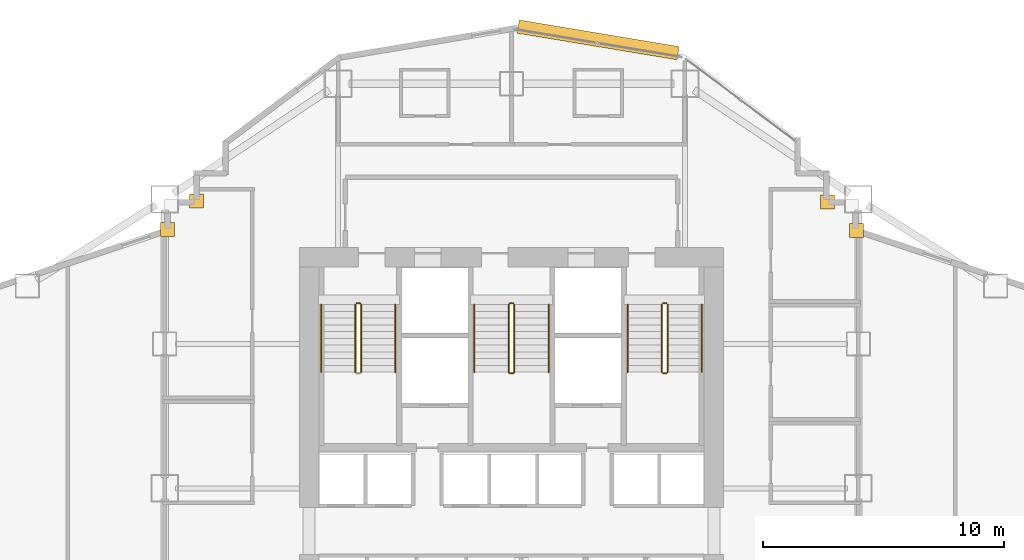
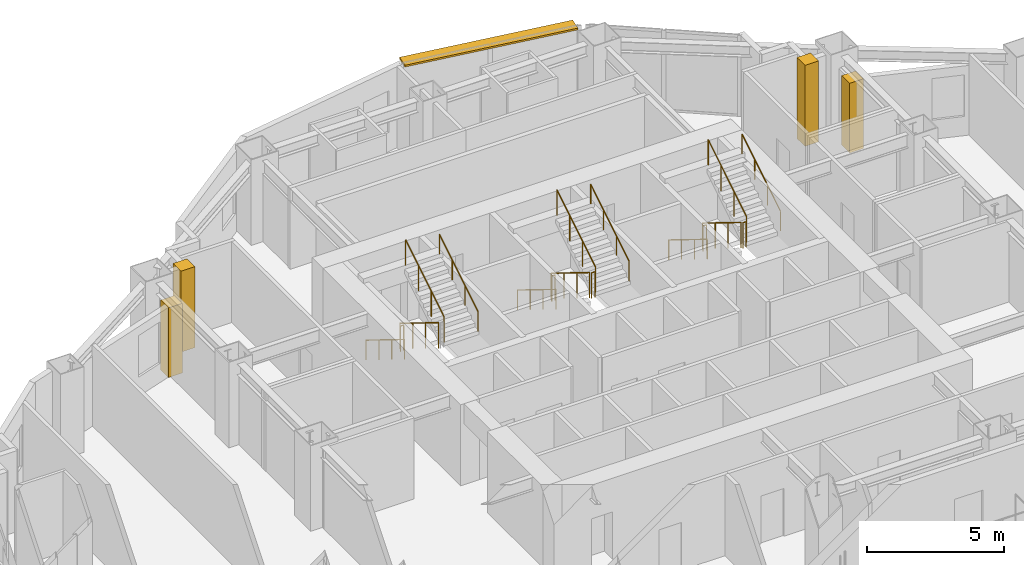
# One storey, part 17 of 18: 17 railings, 4 coverings, 1 shading device.
"""IFC4 building model written with IfcOpenShell, lengths in metres."""

from ifc_helpers import new_model, si_unit, direction, frame, origin, origin_2d, place, context, subcontext, project, spatial, rectangle, circle, extrude, material, layer, layer_set, type_object, element, save


model = new_model("IFC4")

# Units and contexts
model_context = context("Model", 3, precision=1e-05, world=origin(), true_north=direction((0.0, 1.0)))
body_context = subcontext(model_context, "Body", "Model", "MODEL_VIEW")
ifc_project = project(units=[si_unit("LENGTHUNIT", "METRE"), si_unit("AREAUNIT", "SQUARE_METRE"), si_unit("VOLUMEUNIT", "CUBIC_METRE"), si_unit("PLANEANGLEUNIT", "RADIAN"), si_unit("MASSUNIT", "GRAM", prefix="KILO")], contexts=[model_context])

# Site, building, storey
site_placement = place(None, origin())
site = spatial("IfcSite", under=ifc_project, at=site_placement, CompositionType="ELEMENT")
building_placement = place(site_placement, origin())
building = spatial("IfcBuilding", under=site, at=building_placement, Name="Haolan Belvedere Tower", CompositionType="ELEMENT")
storey_placement = place(building_placement, frame((0.0, 0.0, 51.39990234375)))
storey = spatial("IfcBuildingStorey", under=building, at=storey_placement, Name="L12", CompositionType="ELEMENT", Elevation=51.39990234375)

# Coverings
ifc_material_1 = material(Name="Pale champagne-silver anodised aluminium rainscreen cladding", Category="aluminium")
ifc_layer_1 = layer(ifc_material_1, 0.034912109375, Name="Pale champagne-silver anodised aluminium rainscreen cladding")
ifc_layer_set_1 = layer_set([ifc_layer_1], Name="Pale champagne-silver anodised aluminium rainscreen cladding")
covering_type = type_object("IfcCoveringType", Name="COV-CLAD-35", PredefinedType="CLADDING", material=ifc_layer_set_1)
covering_1_placement = place(storey_placement, frame((52.72021484375, 44.300048828125, 0.0), z_axis=(0.0, 0.0, 1.0), x_axis=(1.0, 0.0, 0.0)))
element("IfcCovering", 1, at=covering_1_placement, inside=storey, type_object=covering_type, Name="L12 pale-metal serrated corner cladding trim 8", PredefinedType="CLADDING", context=body_context, shape_type="SweptSolid", body=[
    extrude(rectangle(XDim=0.580078125, YDim=0.580078125, at=origin_2d()), origin(), (0.0, 0.0, 1.0), 3.096923828125),
])
for number, where, z_axis, x_axis, name in (
    (2, (51.5224609375, 45.47998046875, 0.0), (0.0, 0.0, 1.0), (1.0, 0.0, 0.0), "L12 pale-metal serrated corner cladding trim 9"),
    (3, (25.320068359375, 45.5224609375, 0.0), (0.0, 0.0, 1.0), (1.0, 0.0, 0.0), "L12 pale-metal serrated corner cladding trim 10"),
):
    element("IfcCovering", number, at=place(storey_placement, frame(where, z_axis=z_axis, x_axis=x_axis)), inside=storey, type_object=covering_type, Name=name, PredefinedType="CLADDING", context=body_context, shape_type="SweptSolid", body=[
        extrude(rectangle(XDim=0.580078125, YDim=0.580078125, at=origin_2d()), origin(), (0.0, 0.0, 1.0), 3.60009765625),
    ])
covering_2_placement = place(storey_placement, frame((24.1201171875, 44.35595703125, 0.0), z_axis=(0.0, 0.0, 1.0), x_axis=(1.0, 0.0, 0.0)))
element("IfcCovering", 4, at=covering_2_placement, inside=storey, type_object=covering_type, Name="L12 pale-metal serrated corner cladding trim 11", PredefinedType="CLADDING", context=body_context, shape_type="SweptSolid", body=[
    extrude(rectangle(XDim=0.580078125, YDim=0.580078125, at=origin_2d()), origin(), (0.0, 0.0, 1.0), 3.096923828125),
])

# Railings
ifc_material_2 = material(Name="Brushed stainless steel 304", Category="steel")
railing_type_1 = type_object("IfcRailingType", Name="RL-STAIR-GRD-1150", PredefinedType="GUARDRAIL", material=ifc_material_2)
railing_1_placement = place(storey_placement, frame((31.919921875, 41.22998046875, 0.1728515625)))
element("IfcRailing", 5, at=railing_1_placement, inside=storey, type_object=railing_type_1, Name="L12 ST1 stair guard 1", PredefinedType="GUARDRAIL", context=body_context, shape_type="SweptSolid", body=[
    extrude(circle(Radius=0.02392578125, at=origin_2d()), frame((0.0, 0.0, 1.1259765625), z_axis=(0.0, -0.851089632645, 0.525020415988), x_axis=(1.0, 0.0, 0.0)), (0.0, 0.0, 1.0), 3.2900390625),
    extrude(circle(Radius=0.02099609375, at=origin_2d()), origin(), (0.0, 0.0, 1.0), 1.101806640625),
    extrude(circle(Radius=0.02099609375, at=origin_2d()), frame((0.0, -0.933349609375, 0.57568359375)), (0.0, 0.0, 1.0), 1.101806640625),
    extrude(circle(Radius=0.02099609375, at=origin_2d()), frame((0.0, -1.86669921875, 1.151611328125)), (0.0, 0.0, 1.0), 1.101806640625),
    extrude(circle(Radius=0.02099609375, at=origin_2d()), frame((0.0, -2.800048828125, 1.727294921875)), (0.0, 0.0, 1.0), 1.101806640625),
])
railing_2_placement = place(storey_placement, frame((32.159912109375, 38.429931640625, 2.07275390625)))
element("IfcRailing", 6, at=railing_2_placement, inside=storey, type_object=railing_type_1, Name="L12 ST1 stair guard 3", PredefinedType="GUARDRAIL", context=body_context, shape_type="SweptSolid", body=[
    extrude(circle(Radius=0.02392578125, at=origin_2d()), frame((0.0, 0.0, 1.1259765625), z_axis=(0.0, 0.851089632645, 0.525020415988), x_axis=(-1.0, 0.0, 0.0)), (0.0, 0.0, 1.0), 3.2900390625),
    extrude(circle(Radius=0.02099609375, at=origin_2d()), origin(), (0.0, 0.0, 1.0), 1.101806640625),
    extrude(circle(Radius=0.02099609375, at=origin_2d()), frame((0.0, 0.933349609375, 0.57568359375)), (0.0, 0.0, 1.0), 1.101806640625),
    extrude(circle(Radius=0.02099609375, at=origin_2d()), frame((0.0, 1.86669921875, 1.151611328125)), (0.0, 0.0, 1.0), 1.101806640625),
    extrude(circle(Radius=0.02099609375, at=origin_2d()), frame((0.0, 2.800048828125, 1.727294921875)), (0.0, 0.0, 1.0), 1.101806640625),
])
railing_3_placement = place(storey_placement, frame((31.969970703125, 41.280029296875, 0.0)))
element("IfcRailing", 7, at=railing_3_placement, inside=storey, type_object=railing_type_1, Name="L12 ST1 stair guard 4", PredefinedType="GUARDRAIL", context=body_context, shape_type="SweptSolid", body=[
    extrude(circle(Radius=0.02392578125, at=origin_2d()), frame((0.0, 0.0, 1.1259765625), z_axis=(1.0, 0.0, 0.0), x_axis=(0.0, 1.0, 0.0)), (0.0, 0.0, 1.0), 0.14013671875),
    extrude(circle(Radius=0.02099609375, at=origin_2d()), origin(), (0.0, 0.0, 1.0), 1.101806640625),
    extrude(circle(Radius=0.02099609375, at=origin_2d()), frame((0.14013671875, 0.0, 0.0)), (0.0, 0.0, 1.0), 1.101806640625),
])
railing_4_placement = place(storey_placement, frame((38.280029296875, 41.22998046875, 0.1728515625)))
element("IfcRailing", 8, at=railing_4_placement, inside=storey, type_object=railing_type_1, Name="L12 ST3 stair guard 1", PredefinedType="GUARDRAIL", context=body_context, shape_type="SweptSolid", body=[
    extrude(circle(Radius=0.02392578125, at=origin_2d()), frame((0.0, 0.0, 1.1259765625), z_axis=(0.0, -0.851089632645, 0.525020415988), x_axis=(1.0, 0.0, 0.0)), (0.0, 0.0, 1.0), 3.2900390625),
    extrude(circle(Radius=0.02099609375, at=origin_2d()), origin(), (0.0, 0.0, 1.0), 1.101806640625),
    extrude(circle(Radius=0.02099609375, at=origin_2d()), frame((0.0, -0.933349609375, 0.57568359375)), (0.0, 0.0, 1.0), 1.101806640625),
    extrude(circle(Radius=0.02099609375, at=origin_2d()), frame((0.0, -1.86669921875, 1.151611328125)), (0.0, 0.0, 1.0), 1.101806640625),
    extrude(circle(Radius=0.02099609375, at=origin_2d()), frame((0.0, -2.800048828125, 1.727294921875)), (0.0, 0.0, 1.0), 1.101806640625),
])
railing_5_placement = place(storey_placement, frame((38.330078125, 38.3798828125, 1.900146484375)))
element("IfcRailing", 9, at=railing_5_placement, inside=storey, type_object=railing_type_1, Name="L12 ST3 stair guard 2", PredefinedType="GUARDRAIL", context=body_context, shape_type="SweptSolid", body=[
    extrude(circle(Radius=0.02392578125, at=origin_2d()), frame((0.0, 0.0, 1.1259765625), z_axis=(1.0, 0.0, 0.0), x_axis=(0.0, 1.0, 0.0)), (0.0, 0.0, 1.0), 0.139892578125),
    extrude(circle(Radius=0.02099609375, at=origin_2d()), origin(), (0.0, 0.0, 1.0), 1.101806640625),
    extrude(circle(Radius=0.02099609375, at=origin_2d()), frame((0.139892578125, 0.0, 0.0)), (0.0, 0.0, 1.0), 1.101806640625),
])
railing_6_placement = place(storey_placement, frame((38.52001953125, 38.429931640625, 2.07275390625)))
element("IfcRailing", 10, at=railing_6_placement, inside=storey, type_object=railing_type_1, Name="L12 ST3 stair guard 3", PredefinedType="GUARDRAIL", context=body_context, shape_type="SweptSolid", body=[
    extrude(circle(Radius=0.02392578125, at=origin_2d()), frame((0.0, 0.0, 1.1259765625), z_axis=(0.0, 0.851089632645, 0.525020415988), x_axis=(-1.0, 0.0, 0.0)), (0.0, 0.0, 1.0), 3.2900390625),
    extrude(circle(Radius=0.02099609375, at=origin_2d()), origin(), (0.0, 0.0, 1.0), 1.101806640625),
    extrude(circle(Radius=0.02099609375, at=origin_2d()), frame((0.0, 0.933349609375, 0.57568359375)), (0.0, 0.0, 1.0), 1.101806640625),
    extrude(circle(Radius=0.02099609375, at=origin_2d()), frame((0.0, 1.86669921875, 1.151611328125)), (0.0, 0.0, 1.0), 1.101806640625),
    extrude(circle(Radius=0.02099609375, at=origin_2d()), frame((0.0, 2.800048828125, 1.727294921875)), (0.0, 0.0, 1.0), 1.101806640625),
])
railing_7_placement = place(storey_placement, frame((38.330078125, 41.280029296875, 0.0)))
element("IfcRailing", 11, at=railing_7_placement, inside=storey, type_object=railing_type_1, Name="L12 ST3 stair guard 4", PredefinedType="GUARDRAIL", context=body_context, shape_type="SweptSolid", body=[
    extrude(circle(Radius=0.02392578125, at=origin_2d()), frame((0.0, 0.0, 1.1259765625), z_axis=(1.0, 0.0, 0.0), x_axis=(0.0, 1.0, 0.0)), (0.0, 0.0, 1.0), 0.139892578125),
    extrude(circle(Radius=0.02099609375, at=origin_2d()), origin(), (0.0, 0.0, 1.0), 1.101806640625),
    extrude(circle(Radius=0.02099609375, at=origin_2d()), frame((0.139892578125, 0.0, 0.0)), (0.0, 0.0, 1.0), 1.101806640625),
])
railing_8_placement = place(storey_placement, frame((44.639892578125, 41.22998046875, 0.1728515625)))
element("IfcRailing", 12, at=railing_8_placement, inside=storey, type_object=railing_type_1, Name="L12 ST2 stair guard 1", PredefinedType="GUARDRAIL", context=body_context, shape_type="SweptSolid", body=[
    extrude(circle(Radius=0.02392578125, at=origin_2d()), frame((0.0, 0.0, 1.1259765625), z_axis=(0.0, -0.851089632645, 0.525020415988), x_axis=(1.0, 0.0, 0.0)), (0.0, 0.0, 1.0), 3.2900390625),
    extrude(circle(Radius=0.02099609375, at=origin_2d()), origin(), (0.0, 0.0, 1.0), 1.101806640625),
    extrude(circle(Radius=0.02099609375, at=origin_2d()), frame((0.0, -0.933349609375, 0.57568359375)), (0.0, 0.0, 1.0), 1.101806640625),
    extrude(circle(Radius=0.02099609375, at=origin_2d()), frame((0.0, -1.86669921875, 1.151611328125)), (0.0, 0.0, 1.0), 1.101806640625),
    extrude(circle(Radius=0.02099609375, at=origin_2d()), frame((0.0, -2.800048828125, 1.727294921875)), (0.0, 0.0, 1.0), 1.101806640625),
])
railing_9_placement = place(storey_placement, frame((44.68994140625, 38.3798828125, 1.900146484375)))
element("IfcRailing", 13, at=railing_9_placement, inside=storey, type_object=railing_type_1, Name="L12 ST2 stair guard 2", PredefinedType="GUARDRAIL", context=body_context, shape_type="SweptSolid", body=[
    extrude(circle(Radius=0.02392578125, at=origin_2d()), frame((0.0, 0.0, 1.1259765625), z_axis=(1.0, 0.0, 0.0), x_axis=(0.0, 1.0, 0.0)), (0.0, 0.0, 1.0), 0.14013671875),
    extrude(circle(Radius=0.02099609375, at=origin_2d()), origin(), (0.0, 0.0, 1.0), 1.101806640625),
    extrude(circle(Radius=0.02099609375, at=origin_2d()), frame((0.14013671875, 0.0, 0.0)), (0.0, 0.0, 1.0), 1.101806640625),
])
railing_10_placement = place(storey_placement, frame((44.8798828125, 38.429931640625, 2.07275390625)))
element("IfcRailing", 14, at=railing_10_placement, inside=storey, type_object=railing_type_1, Name="L12 ST2 stair guard 3", PredefinedType="GUARDRAIL", context=body_context, shape_type="SweptSolid", body=[
    extrude(circle(Radius=0.02392578125, at=origin_2d()), frame((0.0, 0.0, 1.1259765625), z_axis=(0.0, 0.851089632645, 0.525020415988), x_axis=(-1.0, 0.0, 0.0)), (0.0, 0.0, 1.0), 3.2900390625),
    extrude(circle(Radius=0.02099609375, at=origin_2d()), origin(), (0.0, 0.0, 1.0), 1.101806640625),
    extrude(circle(Radius=0.02099609375, at=origin_2d()), frame((0.0, 0.933349609375, 0.57568359375)), (0.0, 0.0, 1.0), 1.101806640625),
    extrude(circle(Radius=0.02099609375, at=origin_2d()), frame((0.0, 1.86669921875, 1.151611328125)), (0.0, 0.0, 1.0), 1.101806640625),
    extrude(circle(Radius=0.02099609375, at=origin_2d()), frame((0.0, 2.800048828125, 1.727294921875)), (0.0, 0.0, 1.0), 1.101806640625),
])
railing_11_placement = place(storey_placement, frame((44.68994140625, 41.280029296875, 0.0)))
element("IfcRailing", 15, at=railing_11_placement, inside=storey, type_object=railing_type_1, Name="L12 ST2 stair guard 4", PredefinedType="GUARDRAIL", context=body_context, shape_type="SweptSolid", body=[
    extrude(circle(Radius=0.02392578125, at=origin_2d()), frame((0.0, 0.0, 1.1259765625), z_axis=(1.0, 0.0, 0.0), x_axis=(0.0, 1.0, 0.0)), (0.0, 0.0, 1.0), 0.14013671875),
    extrude(circle(Radius=0.02099609375, at=origin_2d()), origin(), (0.0, 0.0, 1.0), 1.101806640625),
    extrude(circle(Radius=0.02099609375, at=origin_2d()), frame((0.14013671875, 0.0, 0.0)), (0.0, 0.0, 1.0), 1.101806640625),
])
railing_type_2 = type_object("IfcRailingType", Name="RL-STAIR-HND-900", PredefinedType="HANDRAIL", material=ifc_material_2)
railing_12_placement = place(storey_placement, frame((30.5, 41.22998046875, 0.1728515625)))
element("IfcRailing", 16, at=railing_12_placement, inside=storey, type_object=railing_type_2, Name="L12 ST1 stair handrail 1", PredefinedType="HANDRAIL", context=body_context, shape_type="SweptSolid", body=[
    extrude(circle(Radius=0.02392578125, at=origin_2d()), frame((0.0, 0.0, 0.8759765625), z_axis=(0.0, -0.851089632645, 0.525020415988), x_axis=(1.0, 0.0, 0.0)), (0.0, 0.0, 1.0), 3.2900390625),
    extrude(circle(Radius=0.02099609375, at=origin_2d()), origin(), (0.0, 0.0, 1.0), 0.851806640625),
    extrude(circle(Radius=0.02099609375, at=origin_2d()), frame((0.0, -0.933349609375, 0.57568359375)), (0.0, 0.0, 1.0), 0.851806640625),
    extrude(circle(Radius=0.02099609375, at=origin_2d()), frame((0.0, -1.86669921875, 1.151611328125)), (0.0, 0.0, 1.0), 0.851806640625),
    extrude(circle(Radius=0.02099609375, at=origin_2d()), frame((0.0, -2.800048828125, 1.727294921875)), (0.0, 0.0, 1.0), 0.851806640625),
])
railing_13_placement = place(storey_placement, frame((33.580078125, 38.429931640625, 2.07275390625)))
element("IfcRailing", 17, at=railing_13_placement, inside=storey, type_object=railing_type_2, Name="L12 ST1 stair handrail 2", PredefinedType="HANDRAIL", context=body_context, shape_type="SweptSolid", body=[
    extrude(circle(Radius=0.02392578125, at=origin_2d()), frame((0.0, 0.0, 0.8759765625), z_axis=(0.0, 0.851089632645, 0.525020415988), x_axis=(-1.0, 0.0, 0.0)), (0.0, 0.0, 1.0), 3.2900390625),
    extrude(circle(Radius=0.02099609375, at=origin_2d()), origin(), (0.0, 0.0, 1.0), 0.851806640625),
    extrude(circle(Radius=0.02099609375, at=origin_2d()), frame((0.0, 0.933349609375, 0.57568359375)), (0.0, 0.0, 1.0), 0.851806640625),
    extrude(circle(Radius=0.02099609375, at=origin_2d()), frame((0.0, 1.86669921875, 1.151611328125)), (0.0, 0.0, 1.0), 0.851806640625),
    extrude(circle(Radius=0.02099609375, at=origin_2d()), frame((0.0, 2.800048828125, 1.727294921875)), (0.0, 0.0, 1.0), 0.851806640625),
])
railing_14_placement = place(storey_placement, frame((36.860107421875, 41.22998046875, 0.1728515625)))
element("IfcRailing", 18, at=railing_14_placement, inside=storey, type_object=railing_type_2, Name="L12 ST3 stair handrail 1", PredefinedType="HANDRAIL", context=body_context, shape_type="SweptSolid", body=[
    extrude(circle(Radius=0.02392578125, at=origin_2d()), frame((0.0, 0.0, 0.8759765625), z_axis=(0.0, -0.851089632645, 0.525020415988), x_axis=(1.0, 0.0, 0.0)), (0.0, 0.0, 1.0), 3.2900390625),
    extrude(circle(Radius=0.02099609375, at=origin_2d()), origin(), (0.0, 0.0, 1.0), 0.851806640625),
    extrude(circle(Radius=0.02099609375, at=origin_2d()), frame((0.0, -0.933349609375, 0.57568359375)), (0.0, 0.0, 1.0), 0.851806640625),
    extrude(circle(Radius=0.02099609375, at=origin_2d()), frame((0.0, -1.86669921875, 1.151611328125)), (0.0, 0.0, 1.0), 0.851806640625),
    extrude(circle(Radius=0.02099609375, at=origin_2d()), frame((0.0, -2.800048828125, 1.727294921875)), (0.0, 0.0, 1.0), 0.851806640625),
])
railing_15_placement = place(storey_placement, frame((39.93994140625, 38.429931640625, 2.07275390625)))
element("IfcRailing", 19, at=railing_15_placement, inside=storey, type_object=railing_type_2, Name="L12 ST3 stair handrail 2", PredefinedType="HANDRAIL", context=body_context, shape_type="SweptSolid", body=[
    extrude(circle(Radius=0.02392578125, at=origin_2d()), frame((0.0, 0.0, 0.8759765625), z_axis=(0.0, 0.851089632645, 0.525020415988), x_axis=(-1.0, 0.0, 0.0)), (0.0, 0.0, 1.0), 3.2900390625),
    extrude(circle(Radius=0.02099609375, at=origin_2d()), origin(), (0.0, 0.0, 1.0), 0.851806640625),
    extrude(circle(Radius=0.02099609375, at=origin_2d()), frame((0.0, 0.933349609375, 0.57568359375)), (0.0, 0.0, 1.0), 0.851806640625),
    extrude(circle(Radius=0.02099609375, at=origin_2d()), frame((0.0, 1.86669921875, 1.151611328125)), (0.0, 0.0, 1.0), 0.851806640625),
    extrude(circle(Radius=0.02099609375, at=origin_2d()), frame((0.0, 2.800048828125, 1.727294921875)), (0.0, 0.0, 1.0), 0.851806640625),
])
railing_16_placement = place(storey_placement, frame((43.219970703125, 41.22998046875, 0.1728515625)))
element("IfcRailing", 20, at=railing_16_placement, inside=storey, type_object=railing_type_2, Name="L12 ST2 stair handrail 1", PredefinedType="HANDRAIL", context=body_context, shape_type="SweptSolid", body=[
    extrude(circle(Radius=0.02392578125, at=origin_2d()), frame((0.0, 0.0, 0.8759765625), z_axis=(0.0, -0.851089632645, 0.525020415988), x_axis=(1.0, 0.0, 0.0)), (0.0, 0.0, 1.0), 3.2900390625),
    extrude(circle(Radius=0.02099609375, at=origin_2d()), origin(), (0.0, 0.0, 1.0), 0.851806640625),
    extrude(circle(Radius=0.02099609375, at=origin_2d()), frame((0.0, -0.933349609375, 0.57568359375)), (0.0, 0.0, 1.0), 0.851806640625),
    extrude(circle(Radius=0.02099609375, at=origin_2d()), frame((0.0, -1.86669921875, 1.151611328125)), (0.0, 0.0, 1.0), 0.851806640625),
    extrude(circle(Radius=0.02099609375, at=origin_2d()), frame((0.0, -2.800048828125, 1.727294921875)), (0.0, 0.0, 1.0), 0.851806640625),
])
railing_17_placement = place(storey_placement, frame((46.300048828125, 38.429931640625, 2.07275390625)))
element("IfcRailing", 21, at=railing_17_placement, inside=storey, type_object=railing_type_2, Name="L12 ST2 stair handrail 2", PredefinedType="HANDRAIL", context=body_context, shape_type="SweptSolid", body=[
    extrude(circle(Radius=0.02392578125, at=origin_2d()), frame((0.0, 0.0, 0.8759765625), z_axis=(0.0, 0.851089632645, 0.525020415988), x_axis=(-1.0, 0.0, 0.0)), (0.0, 0.0, 1.0), 3.2900390625),
    extrude(circle(Radius=0.02099609375, at=origin_2d()), origin(), (0.0, 0.0, 1.0), 0.851806640625),
    extrude(circle(Radius=0.02099609375, at=origin_2d()), frame((0.0, 0.933349609375, 0.57568359375)), (0.0, 0.0, 1.0), 0.851806640625),
    extrude(circle(Radius=0.02099609375, at=origin_2d()), frame((0.0, 1.86669921875, 1.151611328125)), (0.0, 0.0, 1.0), 0.851806640625),
    extrude(circle(Radius=0.02099609375, at=origin_2d()), frame((0.0, 2.800048828125, 1.727294921875)), (0.0, 0.0, 1.0), 0.851806640625),
])

# Shading device
ifc_material_3 = material(Name="Anodised champagne-silver aluminium 6063-T6", Category="aluminium")
ifc_layer_2 = layer(ifc_material_3, 0.080078125, Name="Anodised champagne-silver aluminium 6063-T6")
ifc_layer_set_2 = layer_set([ifc_layer_2], Name="Anodised champagne-silver aluminium 6063-T6")
shading_device_type = type_object("IfcShadingDeviceType", Name="SHD-SUN-550", PredefinedType="USERDEFINED", material=ifc_layer_set_2)
shading_device_placement = place(storey_placement, frame((41.998779296875, 52.220458984375, 3.5), z_axis=(0.0, 0.0, 1.0), x_axis=(-0.986391978972, 0.16441065604, 0.0)))
element("IfcShadingDevice", 22, at=shading_device_placement, inside=storey, type_object=shading_device_type, Name="L12 pale-metal horizontal SUNSHADE band 42.1", ObjectType="SUNSHADE", PredefinedType="USERDEFINED", context=body_context, shape_type="SweptSolid", body=[
    extrude(rectangle(XDim=6.72998046875, YDim=0.550048828125, at=origin_2d()), origin(), (0.0, 0.0, 1.0), 0.080078125),
])

save(model, "model.ifc")
